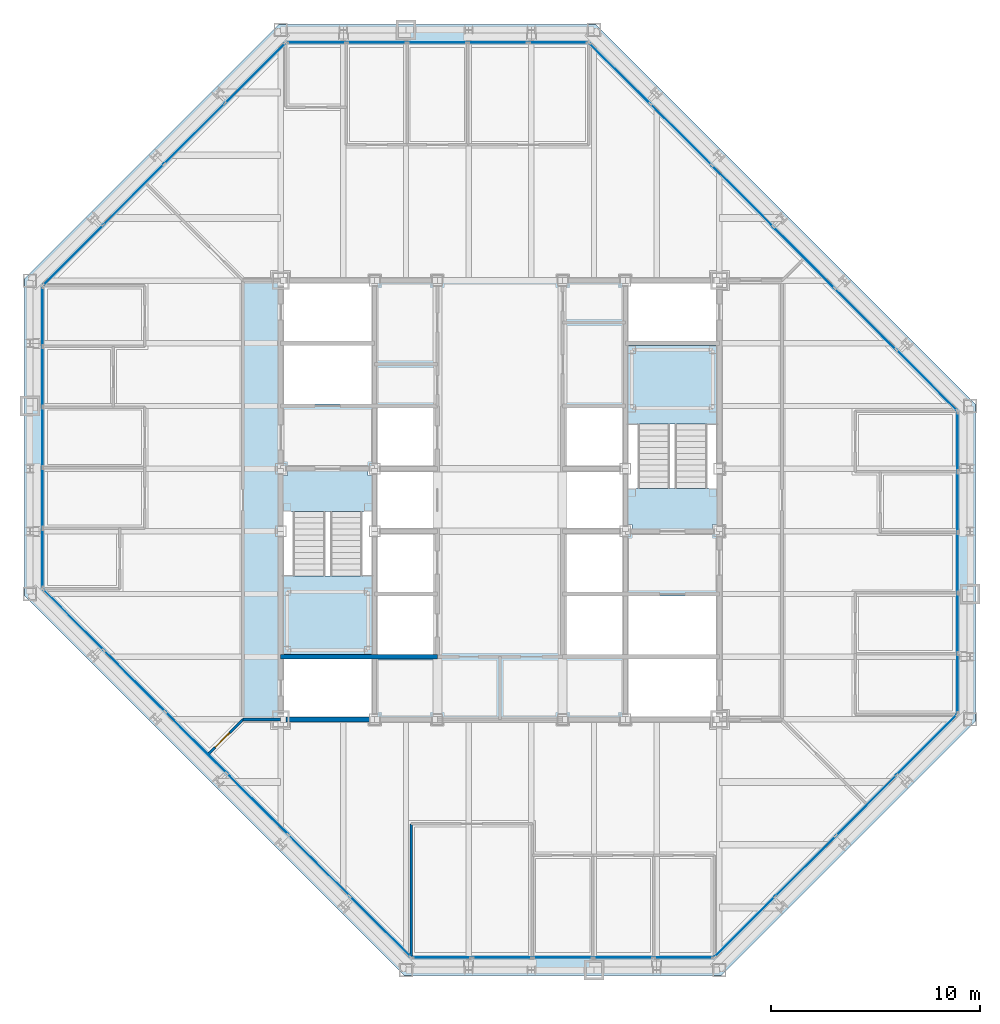
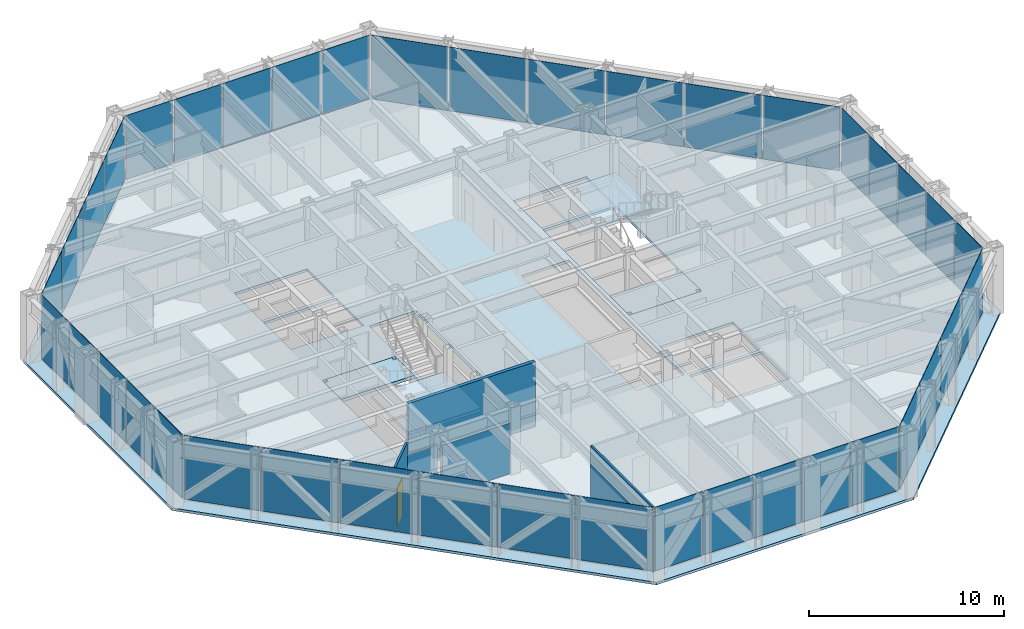
# One storey, part 10 of 16: 40 plates, 5 slabs, 5 walls, 1 door, 1 opening, 10 elements without a shape of their own.
"""IFC4 building model written with IfcOpenShell, lengths in metres."""

from ifc_helpers import new_model, si_unit, direction, frame, frame_2d, origin, origin_2d, place, context, subcontext, project, spatial, polyline, rectangle, outline, extrude, material, layer, layer_set, type_object, element, fill, aggregate, save


model = new_model("IFC4")

# Units and contexts
model_context = context("Model", 3, precision=1e-05, world=origin(), true_north=direction((0.0, 1.0)))
body_context = subcontext(model_context, "Body", "Model", "MODEL_VIEW")
ifc_project = project(units=[si_unit("LENGTHUNIT", "METRE"), si_unit("AREAUNIT", "SQUARE_METRE"), si_unit("VOLUMEUNIT", "CUBIC_METRE"), si_unit("PLANEANGLEUNIT", "RADIAN"), si_unit("MASSUNIT", "GRAM", prefix="KILO")], contexts=[model_context])

# Site, building, storey
site_placement = place(None, origin())
site = spatial("IfcSite", under=ifc_project, at=site_placement, CompositionType="ELEMENT")
building_placement = place(site_placement, origin())
building = spatial("IfcBuilding", under=site, at=building_placement, Name="Chuquiago Exchange Tower", CompositionType="ELEMENT")
storey_placement = place(building_placement, frame((0.0, 0.0, 218.10009765625)))
storey = spatial("IfcBuildingStorey", under=building, at=storey_placement, Name="L48", CompositionType="ELEMENT", Elevation=218.10009765625)

# Curtain wall, plate
ifc_material_1 = material(Name="Aluminium curtain wall system", Category="aluminium")
ifc_layer_1 = layer(ifc_material_1, 0.22509765625)
ifc_layer_set_1 = layer_set([ifc_layer_1], Name="CW2 office curtain wall")
curtain_wall_type_1 = type_object("IfcCurtainWallType", Name="CW2 office curtain wall", PredefinedType="NOTDEFINED", material=ifc_layer_set_1)
curtain_wall_1_placement = place(storey_placement, origin())
curtain_wall_1 = element("IfcCurtainWall", 1, at=curtain_wall_1_placement, inside=storey, type_object=curtain_wall_type_1, Name="CW2 curtain wall L48", PredefinedType="NOTDEFINED")
ifc_material_2 = material(Name="Glass, insulating unit", Category="glass")
ifc_layer_2 = layer(ifc_material_2, 0.030029296875)
ifc_layer_set_2 = layer_set([ifc_layer_2], Name="CW2-P panel 30")
plate_type_1 = type_object("IfcPlateType", Name="CW2-P panel 30", PredefinedType="CURTAIN_PANEL", material=ifc_layer_set_2)
plate_1_placement = place(storey_placement, frame((25.5, 0.60009765625, 0.06494140625), z_axis=(0.0, 0.0, 1.0), x_axis=(1.0, 0.0, 0.0)))
plate_1 = element("IfcPlate", 2, at=plate_1_placement, type_object=plate_type_1, Name="CW2 panel 3.1", PredefinedType="CURTAIN_PANEL", context=body_context, shape_type="SweptSolid", body=[
    extrude(rectangle(XDim=2.835693359375, YDim=0.030029296875, at=origin_2d()), origin(), (0.0, 0.0, 1.0), 3.97509765625),
])

curtain_wall_2_placement = place(storey_placement, origin())
curtain_wall_2 = element("IfcCurtainWall", 3, at=curtain_wall_2_placement, inside=storey, type_object=curtain_wall_type_1, Name="CW2 curtain wall L48", PredefinedType="NOTDEFINED")
plate_2_placement = place(storey_placement, frame((44.39990234375, 19.5, 0.06494140625), z_axis=(0.0, 0.0, 1.0), x_axis=(0.0, 1.0, 0.0)))
plate_2 = element("IfcPlate", 4, at=plate_2_placement, type_object=plate_type_1, Name="CW2 panel 3.1", PredefinedType="CURTAIN_PANEL", context=body_context, shape_type="SweptSolid", body=[
    extrude(rectangle(XDim=2.835693359375, YDim=0.030029296875, at=origin_2d()), origin(), (0.0, 0.0, 1.0), 3.97509765625),
])

curtain_wall_3_placement = place(storey_placement, origin())
curtain_wall_3 = element("IfcCurtainWall", 5, at=curtain_wall_3_placement, inside=storey, type_object=curtain_wall_type_1, Name="CW2 curtain wall L48", PredefinedType="NOTDEFINED")
plate_3_placement = place(storey_placement, frame((19.5, 44.39990234375, 0.06494140625), z_axis=(0.0, 0.0, 1.0), x_axis=(-1.0, 0.0, 0.0)))
plate_3 = element("IfcPlate", 6, at=plate_3_placement, type_object=plate_type_1, Name="CW2 panel 3.1", PredefinedType="CURTAIN_PANEL", context=body_context, shape_type="SweptSolid", body=[
    extrude(rectangle(XDim=2.835693359375, YDim=0.030029296875, at=origin_2d()), origin(), (0.0, 0.0, 1.0), 3.97509765625),
])

curtain_wall_4_placement = place(storey_placement, origin())
curtain_wall_4 = element("IfcCurtainWall", 7, at=curtain_wall_4_placement, inside=storey, type_object=curtain_wall_type_1, Name="CW2 curtain wall L48", PredefinedType="NOTDEFINED")
plate_4_placement = place(storey_placement, frame((0.60009765625, 25.5, 0.06494140625), z_axis=(0.0, 0.0, 1.0), x_axis=(0.0, -1.0, 0.0)))
plate_4 = element("IfcPlate", 8, at=plate_4_placement, type_object=plate_type_1, Name="CW2 panel 3.1", PredefinedType="CURTAIN_PANEL", context=body_context, shape_type="SweptSolid", body=[
    extrude(rectangle(XDim=2.835693359375, YDim=0.030029296875, at=origin_2d()), origin(), (0.0, 0.0, 1.0), 3.97509765625),
])

# Plate
ifc_material_3 = material(Name="Insulated spandrel panel, pale anodised aluminium", Category="aluminium")
ifc_layer_3 = layer(ifc_material_3, 0.030029296875)
ifc_layer_set_3 = layer_set([ifc_layer_3], Name="CW2-P spandrel panel 30")
plate_type_2 = type_object("IfcPlateType", Name="CW2-P spandrel panel 30", PredefinedType="CURTAIN_PANEL", material=ifc_layer_set_3)
plate_5_placement = place(storey_placement, frame((19.715087890625, 0.60009765625, 0.06494140625), z_axis=(0.0, 0.0, 1.0), x_axis=(1.0, 0.0, 0.0)))
plate_5 = element("IfcPlate", 9, at=plate_5_placement, type_object=plate_type_2, Name="CW2 panel 1.1", PredefinedType="CURTAIN_PANEL", context=body_context, shape_type="SweptSolid", body=[
    extrude(rectangle(XDim=2.802978515625, YDim=0.030029296875, at=origin_2d()), origin(), (0.0, 0.0, 1.0), 3.97509765625),
])

plate_6_placement = place(storey_placement, frame((22.599365234375, 0.60009765625, 0.06494140625), z_axis=(0.0, 0.0, 1.0), x_axis=(1.0, 0.0, 0.0)))
plate_6 = element("IfcPlate", 10, at=plate_6_placement, type_object=plate_type_2, Name="CW2 panel 2.1", PredefinedType="CURTAIN_PANEL", context=body_context, shape_type="SweptSolid", body=[
    extrude(rectangle(XDim=2.835693359375, YDim=0.030029296875, at=origin_2d()), origin(), (0.0, 0.0, 1.0), 3.97509765625),
])

plate_7_placement = place(storey_placement, frame((28.400634765625, 0.60009765625, 0.06494140625), z_axis=(0.0, 0.0, 1.0), x_axis=(1.0, 0.0, 0.0)))
plate_7 = element("IfcPlate", 11, at=plate_7_placement, type_object=plate_type_2, Name="CW2 panel 4.1", PredefinedType="CURTAIN_PANEL", context=body_context, shape_type="SweptSolid", body=[
    extrude(rectangle(XDim=2.835693359375, YDim=0.030029296875, at=origin_2d()), origin(), (0.0, 0.0, 1.0), 3.97509765625),
])

plate_8_placement = place(storey_placement, frame((31.284912109375, 0.60009765625, 0.06494140625), z_axis=(0.0, 0.0, 1.0), x_axis=(1.0, 0.0, 0.0)))
plate_8 = element("IfcPlate", 12, at=plate_8_placement, type_object=plate_type_2, Name="CW2 panel 5.1", PredefinedType="CURTAIN_PANEL", context=body_context, shape_type="SweptSolid", body=[
    extrude(rectangle(XDim=2.802978515625, YDim=0.030029296875, at=origin_2d()), origin(), (0.0, 0.0, 1.0), 3.97509765625),
])

aggregate(curtain_wall_1, [plate_5, plate_6, plate_1, plate_7, plate_8])

plate_9_placement = place(storey_placement, frame((44.39990234375, 13.715087890625, 0.06494140625), z_axis=(0.0, 0.0, 1.0), x_axis=(0.0, 1.0, 0.0)))
plate_9 = element("IfcPlate", 13, at=plate_9_placement, type_object=plate_type_2, Name="CW2 panel 1.1", PredefinedType="CURTAIN_PANEL", context=body_context, shape_type="SweptSolid", body=[
    extrude(rectangle(XDim=2.802978515625, YDim=0.030029296875, at=origin_2d()), origin(), (0.0, 0.0, 1.0), 3.97509765625),
])

plate_10_placement = place(storey_placement, frame((44.39990234375, 16.599365234375, 0.06494140625), z_axis=(0.0, 0.0, 1.0), x_axis=(0.0, 1.0, 0.0)))
plate_10 = element("IfcPlate", 14, at=plate_10_placement, type_object=plate_type_2, Name="CW2 panel 2.1", PredefinedType="CURTAIN_PANEL", context=body_context, shape_type="SweptSolid", body=[
    extrude(rectangle(XDim=2.835693359375, YDim=0.030029296875, at=origin_2d()), origin(), (0.0, 0.0, 1.0), 3.97509765625),
])

plate_11_placement = place(storey_placement, frame((44.39990234375, 22.400634765625, 0.06494140625), z_axis=(0.0, 0.0, 1.0), x_axis=(0.0, 1.0, 0.0)))
plate_11 = element("IfcPlate", 15, at=plate_11_placement, type_object=plate_type_2, Name="CW2 panel 4.1", PredefinedType="CURTAIN_PANEL", context=body_context, shape_type="SweptSolid", body=[
    extrude(rectangle(XDim=2.835693359375, YDim=0.030029296875, at=origin_2d()), origin(), (0.0, 0.0, 1.0), 3.97509765625),
])

plate_12_placement = place(storey_placement, frame((44.39990234375, 25.284912109375, 0.06494140625), z_axis=(0.0, 0.0, 1.0), x_axis=(0.0, 1.0, 0.0)))
plate_12 = element("IfcPlate", 16, at=plate_12_placement, type_object=plate_type_2, Name="CW2 panel 5.1", PredefinedType="CURTAIN_PANEL", context=body_context, shape_type="SweptSolid", body=[
    extrude(rectangle(XDim=2.802978515625, YDim=0.030029296875, at=origin_2d()), origin(), (0.0, 0.0, 1.0), 3.97509765625),
])

aggregate(curtain_wall_2, [plate_9, plate_10, plate_2, plate_11, plate_12])

plate_13_placement = place(storey_placement, frame((25.284912109375, 44.39990234375, 0.06494140625), z_axis=(0.0, 0.0, 1.0), x_axis=(-1.0, 0.0, 0.0)))
plate_13 = element("IfcPlate", 17, at=plate_13_placement, type_object=plate_type_2, Name="CW2 panel 1.1", PredefinedType="CURTAIN_PANEL", context=body_context, shape_type="SweptSolid", body=[
    extrude(rectangle(XDim=2.802978515625, YDim=0.030029296875, at=origin_2d()), origin(), (0.0, 0.0, 1.0), 3.97509765625),
])

plate_14_placement = place(storey_placement, frame((22.400634765625, 44.39990234375, 0.06494140625), z_axis=(0.0, 0.0, 1.0), x_axis=(-1.0, 0.0, 0.0)))
plate_14 = element("IfcPlate", 18, at=plate_14_placement, type_object=plate_type_2, Name="CW2 panel 2.1", PredefinedType="CURTAIN_PANEL", context=body_context, shape_type="SweptSolid", body=[
    extrude(rectangle(XDim=2.835693359375, YDim=0.030029296875, at=origin_2d()), origin(), (0.0, 0.0, 1.0), 3.97509765625),
])

plate_15_placement = place(storey_placement, frame((16.599365234375, 44.39990234375, 0.06494140625), z_axis=(0.0, 0.0, 1.0), x_axis=(-1.0, 0.0, 0.0)))
plate_15 = element("IfcPlate", 19, at=plate_15_placement, type_object=plate_type_2, Name="CW2 panel 4.1", PredefinedType="CURTAIN_PANEL", context=body_context, shape_type="SweptSolid", body=[
    extrude(rectangle(XDim=2.835693359375, YDim=0.030029296875, at=origin_2d()), origin(), (0.0, 0.0, 1.0), 3.97509765625),
])

plate_16_placement = place(storey_placement, frame((13.715087890625, 44.39990234375, 0.06494140625), z_axis=(0.0, 0.0, 1.0), x_axis=(-1.0, 0.0, 0.0)))
plate_16 = element("IfcPlate", 20, at=plate_16_placement, type_object=plate_type_2, Name="CW2 panel 5.1", PredefinedType="CURTAIN_PANEL", context=body_context, shape_type="SweptSolid", body=[
    extrude(rectangle(XDim=2.802978515625, YDim=0.030029296875, at=origin_2d()), origin(), (0.0, 0.0, 1.0), 3.97509765625),
])

aggregate(curtain_wall_3, [plate_13, plate_14, plate_3, plate_15, plate_16])

plate_17_placement = place(storey_placement, frame((0.60009765625, 31.284912109375, 0.06494140625), z_axis=(0.0, 0.0, 1.0), x_axis=(0.0, -1.0, 0.0)))
plate_17 = element("IfcPlate", 21, at=plate_17_placement, type_object=plate_type_2, Name="CW2 panel 1.1", PredefinedType="CURTAIN_PANEL", context=body_context, shape_type="SweptSolid", body=[
    extrude(rectangle(XDim=2.802978515625, YDim=0.030029296875, at=origin_2d()), origin(), (0.0, 0.0, 1.0), 3.97509765625),
])

plate_18_placement = place(storey_placement, frame((0.60009765625, 28.400634765625, 0.06494140625), z_axis=(0.0, 0.0, 1.0), x_axis=(0.0, -1.0, 0.0)))
plate_18 = element("IfcPlate", 22, at=plate_18_placement, type_object=plate_type_2, Name="CW2 panel 2.1", PredefinedType="CURTAIN_PANEL", context=body_context, shape_type="SweptSolid", body=[
    extrude(rectangle(XDim=2.835693359375, YDim=0.030029296875, at=origin_2d()), origin(), (0.0, 0.0, 1.0), 3.97509765625),
])

plate_19_placement = place(storey_placement, frame((0.60009765625, 22.599365234375, 0.06494140625), z_axis=(0.0, 0.0, 1.0), x_axis=(0.0, -1.0, 0.0)))
plate_19 = element("IfcPlate", 23, at=plate_19_placement, type_object=plate_type_2, Name="CW2 panel 4.1", PredefinedType="CURTAIN_PANEL", context=body_context, shape_type="SweptSolid", body=[
    extrude(rectangle(XDim=2.835693359375, YDim=0.030029296875, at=origin_2d()), origin(), (0.0, 0.0, 1.0), 3.97509765625),
])

plate_20_placement = place(storey_placement, frame((0.60009765625, 19.715087890625, 0.06494140625), z_axis=(0.0, 0.0, 1.0), x_axis=(0.0, -1.0, 0.0)))
plate_20 = element("IfcPlate", 24, at=plate_20_placement, type_object=plate_type_2, Name="CW2 panel 5.1", PredefinedType="CURTAIN_PANEL", context=body_context, shape_type="SweptSolid", body=[
    extrude(rectangle(XDim=2.802978515625, YDim=0.030029296875, at=origin_2d()), origin(), (0.0, 0.0, 1.0), 3.97509765625),
])

aggregate(curtain_wall_4, [plate_17, plate_18, plate_4, plate_19, plate_20])

# Curtain wall, plates
ifc_material_4 = material(Name="Aluminium curtain wall system", Category="aluminium")
ifc_layer_4 = layer(ifc_material_4, 0.199951171875)
ifc_layer_set_4 = layer_set([ifc_layer_4], Name="CW3 facet curtain wall")
curtain_wall_type_2 = type_object("IfcCurtainWallType", Name="CW3 facet curtain wall", PredefinedType="NOTDEFINED", material=ifc_layer_set_4)
curtain_wall_5_placement = place(storey_placement, origin())
curtain_wall_5 = element("IfcCurtainWall", 25, at=curtain_wall_5_placement, inside=storey, type_object=curtain_wall_type_2, Name="CW3 curtain wall L48", PredefinedType="NOTDEFINED")
ifc_material_5 = material(Name="Insulated spandrel panel, pale anodised aluminium", Category="aluminium")
ifc_layer_5 = layer(ifc_material_5, 0.030029296875)
ifc_layer_set_5 = layer_set([ifc_layer_5], Name="CW3-P spandrel panel 30")
plate_type_3 = type_object("IfcPlateType", Name="CW3-P spandrel panel 30", PredefinedType="CURTAIN_PANEL", material=ifc_layer_set_5)
plate_21_placement = place(storey_placement, frame((34.218994140625, 2.067626953125, 0.06494140625), z_axis=(0.0, 0.0, 1.0), x_axis=(0.707106781187, 0.707106781187, 0.0)))
plate_21 = element("IfcPlate", 26, at=plate_21_placement, type_object=plate_type_3, Name="CW3 panel 1.1", PredefinedType="CURTAIN_PANEL", context=body_context, shape_type="SweptSolid", body=[
    extrude(rectangle(XDim=4.020751953125, YDim=0.030029296875, at=origin_2d()), origin(), (0.0, 0.0, 1.0), 3.97509765625),
])
plate_22_placement = place(storey_placement, frame((37.11962890625, 4.96826171875, 0.06494140625), z_axis=(0.0, 0.0, 1.0), x_axis=(0.707106781187, 0.707106781187, 0.0)))
plate_22 = element("IfcPlate", 27, at=plate_22_placement, type_object=plate_type_3, Name="CW3 panel 2.1", PredefinedType="CURTAIN_PANEL", context=body_context, shape_type="SweptSolid", body=[
    extrude(rectangle(XDim=4.053466796875, YDim=0.030029296875, at=origin_2d()), origin(), (0.0, 0.0, 1.0), 3.97509765625),
])
plate_23_placement = place(storey_placement, frame((40.03173828125, 7.88037109375, 0.06494140625), z_axis=(0.0, 0.0, 1.0), x_axis=(0.707106781187, 0.707106781187, 0.0)))
plate_23 = element("IfcPlate", 28, at=plate_23_placement, type_object=plate_type_3, Name="CW3 panel 3.1", PredefinedType="CURTAIN_PANEL", context=body_context, shape_type="SweptSolid", body=[
    extrude(rectangle(XDim=4.053466796875, YDim=0.030029296875, at=origin_2d()), origin(), (0.0, 0.0, 1.0), 3.97509765625),
])
plate_24_placement = place(storey_placement, frame((42.932373046875, 10.781005859375, 0.06494140625), z_axis=(0.0, 0.0, 1.0), x_axis=(0.707106781187, 0.707106781187, 0.0)))
plate_24 = element("IfcPlate", 29, at=plate_24_placement, type_object=plate_type_3, Name="CW3 panel 4.1", PredefinedType="CURTAIN_PANEL", context=body_context, shape_type="SweptSolid", body=[
    extrude(rectangle(XDim=4.020751953125, YDim=0.030029296875, at=origin_2d()), origin(), (0.0, 0.0, 1.0), 3.97509765625),
])
aggregate(curtain_wall_5, [plate_21, plate_22, plate_23, plate_24])

curtain_wall_6_placement = place(storey_placement, origin())
curtain_wall_6 = element("IfcCurtainWall", 30, at=curtain_wall_6_placement, inside=storey, type_object=curtain_wall_type_2, Name="CW3 curtain wall L48", PredefinedType="NOTDEFINED")
plate_25_placement = place(storey_placement, frame((42.917724609375, 28.233642578125, 0.06494140625), z_axis=(0.0, 0.0, 1.0), x_axis=(-0.707106781187, 0.707106781187, 0.0)))
plate_25 = element("IfcPlate", 31, at=plate_25_placement, type_object=plate_type_3, Name="CW3 panel 1.1", PredefinedType="CURTAIN_PANEL", context=body_context, shape_type="SweptSolid", body=[
    extrude(rectangle(XDim=4.062255859375, YDim=0.030029296875, at=origin_2d()), origin(), (0.0, 0.0, 1.0), 3.97509765625),
])
plate_26_placement = place(storey_placement, frame((39.98779296875, 31.16357421875, 0.06494140625), z_axis=(0.0, 0.0, 1.0), x_axis=(-0.707106781187, 0.707106781187, 0.0)))
plate_26 = element("IfcPlate", 32, at=plate_26_placement, type_object=plate_type_3, Name="CW3 panel 2.1", PredefinedType="CURTAIN_PANEL", context=body_context, shape_type="SweptSolid", body=[
    extrude(rectangle(XDim=4.0947265625, YDim=0.030029296875, at=origin_2d()), origin(), (0.0, 0.0, 1.0), 3.97509765625),
])
plate_27_placement = place(storey_placement, frame((37.04638671875, 34.10498046875, 0.06494140625), z_axis=(0.0, 0.0, 1.0), x_axis=(-0.707106781187, 0.707106781187, 0.0)))
plate_27 = element("IfcPlate", 33, at=plate_27_placement, type_object=plate_type_3, Name="CW3 panel 3.1", PredefinedType="CURTAIN_PANEL", context=body_context, shape_type="SweptSolid", body=[
    extrude(rectangle(XDim=4.0947265625, YDim=0.030029296875, at=origin_2d()), origin(), (0.0, 0.0, 1.0), 3.97509765625),
])
plate_28_placement = place(storey_placement, frame((34.10498046875, 37.04638671875, 0.06494140625), z_axis=(0.0, 0.0, 1.0), x_axis=(-0.707106781187, 0.707106781187, 0.0)))
plate_28 = element("IfcPlate", 34, at=plate_28_placement, type_object=plate_type_3, Name="CW3 panel 4.1", PredefinedType="CURTAIN_PANEL", context=body_context, shape_type="SweptSolid", body=[
    extrude(rectangle(XDim=4.0947265625, YDim=0.030029296875, at=origin_2d()), origin(), (0.0, 0.0, 1.0), 3.97509765625),
])
plate_29_placement = place(storey_placement, frame((31.16357421875, 39.98779296875, 0.06494140625), z_axis=(0.0, 0.0, 1.0), x_axis=(-0.707106781187, 0.707106781187, 0.0)))
plate_29 = element("IfcPlate", 35, at=plate_29_placement, type_object=plate_type_3, Name="CW3 panel 5.1", PredefinedType="CURTAIN_PANEL", context=body_context, shape_type="SweptSolid", body=[
    extrude(rectangle(XDim=4.0947265625, YDim=0.030029296875, at=origin_2d()), origin(), (0.0, 0.0, 1.0), 3.97509765625),
])
plate_30_placement = place(storey_placement, frame((28.233642578125, 42.917724609375, 0.06494140625), z_axis=(0.0, 0.0, 1.0), x_axis=(-0.707106781187, 0.707106781187, 0.0)))
plate_30 = element("IfcPlate", 36, at=plate_30_placement, type_object=plate_type_3, Name="CW3 panel 6.1", PredefinedType="CURTAIN_PANEL", context=body_context, shape_type="SweptSolid", body=[
    extrude(rectangle(XDim=4.062255859375, YDim=0.030029296875, at=origin_2d()), origin(), (0.0, 0.0, 1.0), 3.97509765625),
])
aggregate(curtain_wall_6, [plate_25, plate_26, plate_27, plate_28, plate_29, plate_30])

curtain_wall_7_placement = place(storey_placement, origin())
curtain_wall_7 = element("IfcCurtainWall", 37, at=curtain_wall_7_placement, inside=storey, type_object=curtain_wall_type_2, Name="CW3 curtain wall L48", PredefinedType="NOTDEFINED")
plate_31_placement = place(storey_placement, frame((10.781005859375, 42.932373046875, 0.06494140625), z_axis=(0.0, 0.0, 1.0), x_axis=(-0.707106781187, -0.707106781187, 0.0)))
plate_31 = element("IfcPlate", 38, at=plate_31_placement, type_object=plate_type_3, Name="CW3 panel 1.1", PredefinedType="CURTAIN_PANEL", context=body_context, shape_type="SweptSolid", body=[
    extrude(rectangle(XDim=4.020751953125, YDim=0.030029296875, at=origin_2d()), origin(), (0.0, 0.0, 1.0), 3.97509765625),
])
plate_32_placement = place(storey_placement, frame((7.88037109375, 40.03173828125, 0.06494140625), z_axis=(0.0, 0.0, 1.0), x_axis=(-0.707106781187, -0.707106781187, 0.0)))
plate_32 = element("IfcPlate", 39, at=plate_32_placement, type_object=plate_type_3, Name="CW3 panel 2.1", PredefinedType="CURTAIN_PANEL", context=body_context, shape_type="SweptSolid", body=[
    extrude(rectangle(XDim=4.053466796875, YDim=0.030029296875, at=origin_2d()), origin(), (0.0, 0.0, 1.0), 3.97509765625),
])
plate_33_placement = place(storey_placement, frame((4.96826171875, 37.11962890625, 0.06494140625), z_axis=(0.0, 0.0, 1.0), x_axis=(-0.707106781187, -0.707106781187, 0.0)))
plate_33 = element("IfcPlate", 40, at=plate_33_placement, type_object=plate_type_3, Name="CW3 panel 3.1", PredefinedType="CURTAIN_PANEL", context=body_context, shape_type="SweptSolid", body=[
    extrude(rectangle(XDim=4.053466796875, YDim=0.030029296875, at=origin_2d()), origin(), (0.0, 0.0, 1.0), 3.97509765625),
])
plate_34_placement = place(storey_placement, frame((2.067626953125, 34.218994140625, 0.06494140625), z_axis=(0.0, 0.0, 1.0), x_axis=(-0.707106781187, -0.707106781187, 0.0)))
plate_34 = element("IfcPlate", 41, at=plate_34_placement, type_object=plate_type_3, Name="CW3 panel 4.1", PredefinedType="CURTAIN_PANEL", context=body_context, shape_type="SweptSolid", body=[
    extrude(rectangle(XDim=4.020751953125, YDim=0.030029296875, at=origin_2d()), origin(), (0.0, 0.0, 1.0), 3.97509765625),
])
aggregate(curtain_wall_7, [plate_31, plate_32, plate_33, plate_34])

curtain_wall_8_placement = place(storey_placement, origin())
curtain_wall_8 = element("IfcCurtainWall", 42, at=curtain_wall_8_placement, inside=storey, type_object=curtain_wall_type_2, Name="CW3 curtain wall L48", PredefinedType="NOTDEFINED")
plate_35_placement = place(storey_placement, frame((2.082275390625, 16.766357421875, 0.06494140625), z_axis=(0.0, 0.0, 1.0), x_axis=(0.707106781187, -0.707106781187, 0.0)))
plate_35 = element("IfcPlate", 43, at=plate_35_placement, type_object=plate_type_3, Name="CW3 panel 1.1", PredefinedType="CURTAIN_PANEL", context=body_context, shape_type="SweptSolid", body=[
    extrude(rectangle(XDim=4.062255859375, YDim=0.030029296875, at=origin_2d()), origin(), (0.0, 0.0, 1.0), 3.97509765625),
])
plate_36_placement = place(storey_placement, frame((5.01220703125, 13.83642578125, 0.06494140625), z_axis=(0.0, 0.0, 1.0), x_axis=(0.707106781187, -0.707106781187, 0.0)))
plate_36 = element("IfcPlate", 44, at=plate_36_placement, type_object=plate_type_3, Name="CW3 panel 2.1", PredefinedType="CURTAIN_PANEL", context=body_context, shape_type="SweptSolid", body=[
    extrude(rectangle(XDim=4.0947265625, YDim=0.030029296875, at=origin_2d()), origin(), (0.0, 0.0, 1.0), 3.97509765625),
])
plate_37_placement = place(storey_placement, frame((7.95361328125, 10.89501953125, 0.06494140625), z_axis=(0.0, 0.0, 1.0), x_axis=(0.707106781187, -0.707106781187, 0.0)))
plate_37 = element("IfcPlate", 45, at=plate_37_placement, type_object=plate_type_3, Name="CW3 panel 3.1", PredefinedType="CURTAIN_PANEL", context=body_context, shape_type="SweptSolid", body=[
    extrude(rectangle(XDim=4.0947265625, YDim=0.030029296875, at=origin_2d()), origin(), (0.0, 0.0, 1.0), 3.97509765625),
])
plate_38_placement = place(storey_placement, frame((10.89501953125, 7.95361328125, 0.06494140625), z_axis=(0.0, 0.0, 1.0), x_axis=(0.707106781187, -0.707106781187, 0.0)))
plate_38 = element("IfcPlate", 46, at=plate_38_placement, type_object=plate_type_3, Name="CW3 panel 4.1", PredefinedType="CURTAIN_PANEL", context=body_context, shape_type="SweptSolid", body=[
    extrude(rectangle(XDim=4.0947265625, YDim=0.030029296875, at=origin_2d()), origin(), (0.0, 0.0, 1.0), 3.97509765625),
])
plate_39_placement = place(storey_placement, frame((13.83642578125, 5.01220703125, 0.06494140625), z_axis=(0.0, 0.0, 1.0), x_axis=(0.707106781187, -0.707106781187, 0.0)))
plate_39 = element("IfcPlate", 47, at=plate_39_placement, type_object=plate_type_3, Name="CW3 panel 5.1", PredefinedType="CURTAIN_PANEL", context=body_context, shape_type="SweptSolid", body=[
    extrude(rectangle(XDim=4.0947265625, YDim=0.030029296875, at=origin_2d()), origin(), (0.0, 0.0, 1.0), 3.97509765625),
])
plate_40_placement = place(storey_placement, frame((16.766357421875, 2.082275390625, 0.06494140625), z_axis=(0.0, 0.0, 1.0), x_axis=(0.707106781187, -0.707106781187, 0.0)))
plate_40 = element("IfcPlate", 48, at=plate_40_placement, type_object=plate_type_3, Name="CW3 panel 6.1", PredefinedType="CURTAIN_PANEL", context=body_context, shape_type="SweptSolid", body=[
    extrude(rectangle(XDim=4.062255859375, YDim=0.030029296875, at=origin_2d()), origin(), (0.0, 0.0, 1.0), 3.97509765625),
])
aggregate(curtain_wall_8, [plate_35, plate_36, plate_37, plate_38, plate_39, plate_40])

# Slab
ifc_material_6 = material(Name="Concrete C30/37", Category="concrete")
ifc_layer_6 = layer(ifc_material_6, 0.159912109375)
ifc_layer_set_6 = layer_set([ifc_layer_6], Name="FS1 composite floor 160")
slab_type_1 = type_object("IfcSlabType", Name="FS1 composite floor 160", PredefinedType="FLOOR", material=ifc_layer_set_6)
slab_1_placement = place(storey_placement, frame((0.0, 0.0, -0.16015625)))
element("IfcSlab", 49, at=slab_1_placement, inside=storey, type_object=slab_type_1, Name="L48 floor slab", PredefinedType="FLOOR", context=body_context, shape_type="SweptSolid", body=[
    extrude(outline(polyline([(17.896484375, -0.25), (-0.25, 17.896484375), (-0.25, 33.103515625), (11.896484375, 45.25), (27.103515625, 45.25), (45.25, 27.103515625), (45.25, 11.896484375), (33.103515625, -0.25), (17.896484375, -0.25)]), holes=[polyline([(16.39990234375, 15.10009765625), (12.10009765625, 15.10009765625), (12.10009765625, 23.89990234375), (16.39990234375, 23.89990234375), (16.39990234375, 15.10009765625)]), polyline([(32.89990234375, 21.10009765625), (28.60009765625, 21.10009765625), (28.60009765625, 29.89990234375), (32.89990234375, 29.89990234375), (32.89990234375, 21.10009765625)]), polyline([(16.39990234375, 12.10009765625), (12.10009765625, 12.10009765625), (12.10009765625, 14.89990234375), (16.39990234375, 14.89990234375), (16.39990234375, 12.10009765625)]), polyline([(16.39990234375, 30.10009765625), (12.10009765625, 30.10009765625), (12.10009765625, 32.89990234375), (16.39990234375, 32.89990234375), (16.39990234375, 30.10009765625)]), polyline([(32.89990234375, 12.10009765625), (28.60009765625, 12.10009765625), (28.60009765625, 14.89990234375), (32.89990234375, 14.89990234375), (32.89990234375, 12.10009765625)]), polyline([(32.89990234375, 30.10009765625), (28.60009765625, 30.10009765625), (28.60009765625, 32.89990234375), (32.89990234375, 32.89990234375), (32.89990234375, 30.10009765625)]), polyline([(16.39990234375, 27.10009765625), (12.10009765625, 27.10009765625), (12.10009765625, 29.89990234375), (16.39990234375, 29.89990234375), (16.39990234375, 27.10009765625)]), polyline([(32.89990234375, 15.10009765625), (28.60009765625, 15.10009765625), (28.60009765625, 17.89990234375), (32.89990234375, 17.89990234375), (32.89990234375, 15.10009765625)]), polyline([(19.39990234375, 15.10009765625), (16.60009765625, 15.10009765625), (16.60009765625, 26.89990234375), (19.39990234375, 26.89990234375), (19.39990234375, 15.10009765625)]), polyline([(28.39990234375, 15.10009765625), (25.60009765625, 15.10009765625), (25.60009765625, 26.89990234375), (28.39990234375, 26.89990234375), (28.39990234375, 15.10009765625)])]), origin(), (0.0, 0.0, 1.0), 0.16015625),
])

# Stair, slabs
ifc_material_7 = material(Name="Concrete C30/37, precast", Category="concrete")
stair_type_1 = type_object("IfcStairType", Name="ST1 half-turn stair 4200", PredefinedType="HALF_TURN_STAIR", material=ifc_material_7)
stair_1_placement = place(storey_placement, origin())
stair_1 = element("IfcStair", 50, at=stair_1_placement, inside=storey, type_object=stair_type_1, Name="Stair ST1 L48", PredefinedType="HALF_TURN_STAIR")
ifc_material_8 = material(Name="Concrete C30/37, precast", Category="concrete")
ifc_layer_7 = layer(ifc_material_8, 0.199951171875)
ifc_layer_set_7 = layer_set([ifc_layer_7], Name="ST-L landing 200")
slab_type_2 = type_object("IfcSlabType", Name="ST-L landing 200", PredefinedType="LANDING", material=ifc_layer_set_7)
slab_2_placement = place(storey_placement, frame((0.0, 0.0, -0.2001953125)))
slab_2 = element("IfcSlab", 51, at=slab_2_placement, type_object=slab_type_2, Name="ST1 landing 1", PredefinedType="LANDING", context=body_context, shape_type="SweptSolid", body=[
    extrude(outline(polyline([(12.324951171875, 23.89990234375), (16.175048828125, 23.89990234375), (16.175048828125, 23.675048828125), (16.39990234375, 23.675048828125), (16.39990234375, 21.949951171875), (12.10009765625, 21.949951171875), (12.10009765625, 23.675048828125), (12.324951171875, 23.675048828125), (12.324951171875, 23.89990234375)])), origin(), (0.0, 0.0, 1.0), 0.2001953125),
])
slab_3_placement = place(storey_placement, frame((0.0, 0.0, 1.89990234375)))
slab_3 = element("IfcSlab", 52, at=slab_3_placement, type_object=slab_type_2, Name="ST1 landing 2", PredefinedType="LANDING", context=body_context, shape_type="SweptSolid", body=[
    extrude(outline(polyline([(12.10009765625, 18.8701171875), (16.39990234375, 18.8701171875), (16.39990234375, 15.10009765625), (12.10009765625, 15.10009765625), (12.10009765625, 18.8701171875)])), origin(), (0.0, 0.0, 1.0), 0.199951171875),
])
aggregate(stair_1, [slab_2, slab_3])

ifc_material_9 = material(Name="Concrete C30/37, precast", Category="concrete")
stair_type_2 = type_object("IfcStairType", Name="ST2 half-turn stair 4200", PredefinedType="HALF_TURN_STAIR", material=ifc_material_9)
stair_2_placement = place(storey_placement, origin())
stair_2 = element("IfcStair", 53, at=stair_2_placement, inside=storey, type_object=stair_type_2, Name="Stair ST2 L48", PredefinedType="HALF_TURN_STAIR")
slab_4_placement = place(storey_placement, frame((0.0, 0.0, -0.2001953125)))
slab_4 = element("IfcSlab", 54, at=slab_4_placement, type_object=slab_type_2, Name="ST2 landing 1", PredefinedType="LANDING", context=body_context, shape_type="SweptSolid", body=[
    extrude(outline(polyline([(32.675048828125, 21.324951171875), (32.675048828125, 21.10009765625), (28.824951171875, 21.10009765625), (28.824951171875, 21.324951171875), (28.60009765625, 21.324951171875), (28.60009765625, 23.050048828125), (32.89990234375, 23.050048828125), (32.89990234375, 21.324951171875), (32.675048828125, 21.324951171875)])), origin(), (0.0, 0.0, 1.0), 0.2001953125),
])
slab_5_placement = place(storey_placement, frame((0.0, 0.0, 1.89990234375)))
slab_5 = element("IfcSlab", 55, at=slab_5_placement, type_object=slab_type_2, Name="ST2 landing 2", PredefinedType="LANDING", context=body_context, shape_type="SweptSolid", body=[
    extrude(outline(polyline([(28.60009765625, 29.89990234375), (32.89990234375, 29.89990234375), (32.89990234375, 26.1298828125), (28.60009765625, 26.1298828125), (28.60009765625, 29.89990234375)])), origin(), (0.0, 0.0, 1.0), 0.199951171875),
])
aggregate(stair_2, [slab_4, slab_5])

# Walls
ifc_material_10 = material(Name="Concrete masonry, fully grouted", Category="masonry")
ifc_layer_8 = layer(ifc_material_10, 0.25)
ifc_layer_set_8 = layer_set([ifc_layer_8], Name="W1 core wall 250")
wall_type_1 = type_object("IfcWallType", Name="W1 core wall 250", PredefinedType="SOLIDWALL", material=ifc_layer_set_8)
wall_1_placement = place(storey_placement, frame((12.25, 12.0, 0.0), z_axis=(0.0, 0.0, 1.0), x_axis=(1.0, 0.0, 0.0)))
element("IfcWall", 56, at=wall_1_placement, inside=storey, type_object=wall_type_1, Name="CW-L48-01-0", PredefinedType="SOLIDWALL", context=body_context, shape_type="SweptSolid", body=[
    extrude(rectangle(XDim=4.0, YDim=0.25, at=frame_2d((2.0, 0.0))), origin(), (0.0, 0.0, 1.0), 3.181396484375),
])
ifc_material_11 = material(Name="Gypsum board on steel studs, acoustic insulation", Category="steel")
ifc_layer_9 = layer(ifc_material_11, 0.14990234375)
ifc_layer_set_9 = layer_set([ifc_layer_9], Name="W11 corridor wall 150")
wall_type_2 = type_object("IfcWallType", Name="W11 corridor wall 150", PredefinedType="PARTITIONING", material=ifc_layer_set_9)
wall_2_placement = place(storey_placement, frame((10.199951171875, 12.0, 0.0), z_axis=(0.0, 0.0, 1.0), x_axis=(1.0, 0.0, 0.0)))
element("IfcWall", 57, at=wall_2_placement, inside=storey, type_object=wall_type_2, Name="PW-L48-GWS0", PredefinedType="PARTITIONING", context=body_context, shape_type="SweptSolid", body=[
    extrude(rectangle(XDim=1.800048828125, YDim=0.14990234375, at=frame_2d((0.89990234375, 0.0))), origin(), (0.0, 0.0, 1.0), 3.270263671875),
])
ifc_material_12 = material(Name="Concrete masonry, fully grouted", Category="masonry")
ifc_layer_10 = layer(ifc_material_12, 0.199951171875)
ifc_layer_set_10 = layer_set([ifc_layer_10], Name="W2 shaft wall 200")
wall_type_3 = type_object("IfcWallType", Name="W2 shaft wall 200", PredefinedType="SOLIDWALL", material=ifc_layer_set_10)
wall_3_placement = place(storey_placement, frame((12.0, 15.0, 0.0), z_axis=(0.0, 0.0, 1.0), x_axis=(1.0, 0.0, 0.0)))
element("IfcWall", 58, at=wall_3_placement, inside=storey, type_object=wall_type_3, Name="CW-L48-03-0", PredefinedType="SOLIDWALL", context=body_context, shape_type="SweptSolid", body=[
    extrude(rectangle(XDim=7.5, YDim=0.199951171875, at=frame_2d((3.75, 0.0))), origin(), (0.0, 0.0, 1.0), 4.039794921875),
])
ifc_material_13 = material(Name="Gypsum board on steel studs", Category="steel")
ifc_layer_11 = layer(ifc_material_13, 0.1201171875)
ifc_layer_set_11 = layer_set([ifc_layer_11], Name="W4 partition 120")
wall_type_4 = type_object("IfcWallType", Name="W4 partition 120", PredefinedType="PARTITIONING", material=ifc_layer_set_11)
wall_4_placement = place(storey_placement, frame((18.24853515625, 0.666015625, 0.0), z_axis=(0.0, 0.0, 1.0), x_axis=(0.0, 1.0, 0.0)))
element("IfcWall", 59, at=wall_4_placement, inside=storey, type_object=wall_type_4, Name="PW-L48-S01825", PredefinedType="PARTITIONING", context=body_context, shape_type="SweptSolid", body=[
    extrude(rectangle(XDim=6.333984375, YDim=0.1201171875, at=frame_2d((3.1669921875, 0.0))), origin(), (0.0, 0.0, 1.0), 4.039794921875),
])

# Wall, opening, door
wall_5_placement = place(storey_placement, frame((10.199951171875, 12.0, 0.0), z_axis=(0.0, 0.0, 1.0), x_axis=(-0.707106781187, -0.707106781187, 0.0)))
wall_5 = element("IfcWall", 60, at=wall_5_placement, inside=storey, type_object=wall_type_4, Name="PW-L48-QSW", PredefinedType="PARTITIONING", context=body_context, shape_type="SweptSolid", body=[
    extrude(rectangle(XDim=2.337890625, YDim=0.1201171875, at=frame_2d((1.1689453125, 0.0))), origin(), (0.0, 0.0, 1.0), 4.039794921875),
])
opening_placement = place(wall_5_placement, frame((0.89990234375, 0.0, 0.0)))
opening = element("IfcOpeningElement", 61, at=opening_placement, cuts=wall_5, Name="Opening L48-043", PredefinedType="OPENING", context=body_context, shape_type="SweptSolid", body=[
    extrude(rectangle(XDim=1.0, YDim=2.39990234375, at=frame_2d((0.5, 1.199951171875))), frame((0.0, 0.070068359375, 0.0), z_axis=(0.0, -1.0, 0.0), x_axis=(1.0, 0.0, 0.0)), (0.0, 0.0, 1.0), 0.14013671875),
])
ifc_material_14 = material(Name="Timber door, laminate faced", Category="wood")
door_type = type_object("IfcDoorType", Name="D9 room door 1000x2400", OperationType="SINGLE_SWING_LEFT", PredefinedType="DOOR", material=ifc_material_14)
door_placement = place(opening_placement, frame((1.0, 0.0, 0.0), z_axis=(0.0, 0.0, 1.0), x_axis=(-1.0, 0.0, 0.0)))
door = element("IfcDoor", 62, at=door_placement, inside=storey, type_object=door_type, Name="Team area door", OperationType="SINGLE_SWING_LEFT", OverallHeight=2.39990234375, OverallWidth=1.0, PredefinedType="DOOR", context=body_context, shape_type="SweptSolid", body=[
    extrude(rectangle(XDim=1.0, YDim=2.39990234375, at=frame_2d((0.5, 1.199951171875))), frame((0.0, 0.02490234375, 0.0), z_axis=(0.0, -1.0, 0.0), x_axis=(1.0, 0.0, 0.0)), (0.0, 0.0, 1.0), 0.050048828125),
])
fill(opening, door)

save(model, "model.ifc")
